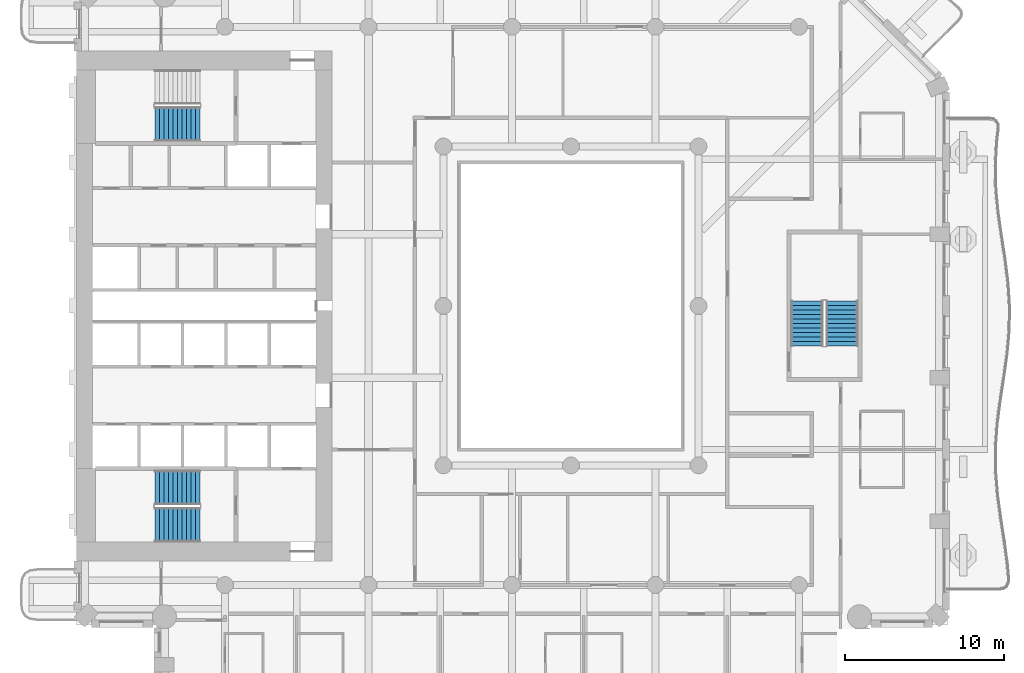
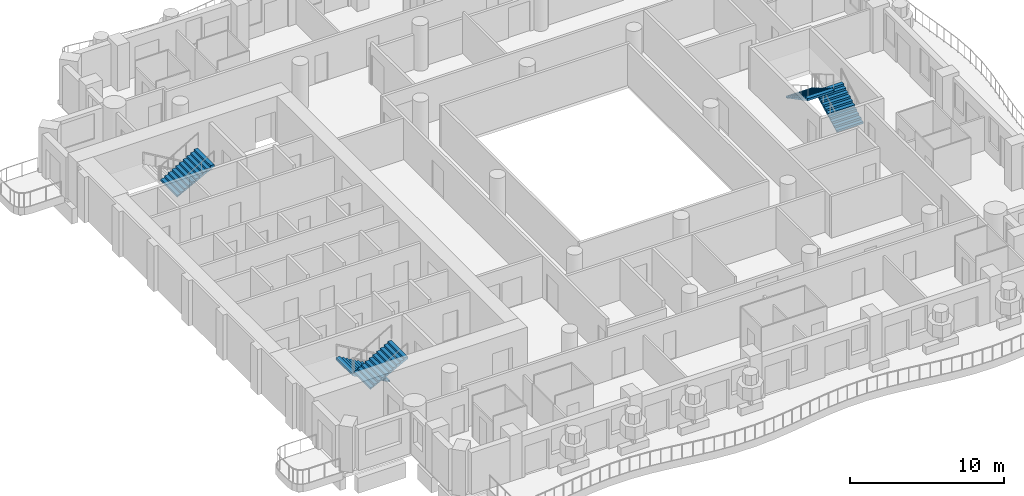
# One storey, part 11 of 20: 5 stair flights, 3 elements without a shape of their own.
"""IFC4 building model written with IfcOpenShell, lengths in metres."""

from ifc_helpers import new_model, si_unit, direction, frame, origin, place, context, subcontext, project, spatial, triangles, material, type_object, element, aggregate, save


model = new_model("IFC4")

# Units and contexts
model_context = context("Model", 3, precision=1e-05, world=origin(), true_north=direction((0.0, 1.0)))
body_context = subcontext(model_context, "Body", "Model", "MODEL_VIEW")
ifc_project = project(units=[si_unit("LENGTHUNIT", "METRE"), si_unit("AREAUNIT", "SQUARE_METRE"), si_unit("VOLUMEUNIT", "CUBIC_METRE"), si_unit("PLANEANGLEUNIT", "RADIAN"), si_unit("MASSUNIT", "GRAM", prefix="KILO")], contexts=[model_context])

# Site, building, storey
site_placement = place(None, origin())
site = spatial("IfcSite", under=ifc_project, at=site_placement, CompositionType="ELEMENT")
building_placement = place(site_placement, origin())
building = spatial("IfcBuilding", under=site, at=building_placement, Name="Cypress Arch Tower", CompositionType="ELEMENT")
storey_placement = place(building_placement, frame((0.0, 0.0, 120.300048828125)))
storey = spatial("IfcBuildingStorey", under=building, at=storey_placement, Name="L25", CompositionType="ELEMENT", Elevation=120.300048828125)

# Stair, stair flights
ifc_material_1 = material(Name="Concrete C40/50", Category="concrete")
stair_type_1 = type_object("IfcStairType", Name="Exit stair ES1636-200", PredefinedType="HALF_TURN_STAIR", material=ifc_material_1)
stair_1_placement = place(storey_placement, origin())
stair_1 = element("IfcStair", 1, at=stair_1_placement, inside=storey, type_object=stair_type_1, Name="L25 Exit stair C", PredefinedType="HALF_TURN_STAIR")
ifc_material_2 = material(Name="Concrete C40/50", Category="concrete")
stair_flight_type_1 = type_object("IfcStairFlightType", Name="Exit stair flight ES1636-200", PredefinedType="STRAIGHT", material=ifc_material_2)
stair_flight_1_placement = place(storey_placement, frame((18.0, -2.5, 0.0), z_axis=(0.0, 0.0, 1.0), x_axis=(0.0, 1.0, 0.0)))
stair_flight_1 = element("IfcStairFlight", 2, at=stair_flight_1_placement, type_object=stair_flight_type_1, Name="C flight 1", NumberOfRisers=11, NumberOfTreads=10, PredefinedType="STRAIGHT", RiserHeight=0.163636364, TreadLength=0.28, context=body_context, shape_type="Tessellation", body=[
    triangles([(0.0, -1.0, 0.0), (0.00048828125, -1.0, 0.054443359375), (0.00048828125, -1.0, 0.109130859375), (0.0, -1.0, 0.16357421875), (0.280029296875, -1.0, 0.16357421875), (0.280029296875, -1.0, 0.327392578125), (0.56005859375, -1.0, 0.327392578125), (0.56005859375, -1.0, 0.490966796875), (0.840087890625, -1.0, 0.490966796875), (0.840087890625, -1.0, 0.654541015625), (1.1201171875, -1.0, 0.654541015625), (1.1201171875, -1.0, 0.818115234375), (1.39990234375, -1.0, 0.818115234375), (1.39990234375, -1.0, 0.98193359375), (1.679931640625, -1.0, 0.98193359375), (1.679931640625, -1.0, 1.1455078125), (1.9599609375, -1.0, 1.1455078125), (1.9599609375, -1.0, 1.30908203125), (2.239990234375, -1.0, 1.30908203125), (2.239990234375, -1.0, 1.47265625), (2.52001953125, -1.0, 1.47265625), (2.52001953125, -1.0, 1.636474609375), (2.800048828125, -1.0, 1.636474609375), (2.799560546875, -1.0, 1.57861328125), (2.799560546875, -1.0, 1.5205078125), (2.800048828125, -1.0, 1.462646484375), (2.800048828125, 1.0, 1.462646484375), (2.799560546875, 1.0, 1.5205078125), (2.799560546875, 1.0, 1.57861328125), (2.800048828125, 1.0, 1.636474609375), (2.52001953125, 1.0, 1.636474609375), (2.52001953125, 1.0, 1.47265625), (2.239990234375, 1.0, 1.47265625), (2.239990234375, 1.0, 1.30908203125), (1.9599609375, 1.0, 1.30908203125), (1.9599609375, 1.0, 1.1455078125), (1.679931640625, 1.0, 1.1455078125), (1.679931640625, 1.0, 0.98193359375), (1.39990234375, 1.0, 0.98193359375), (1.39990234375, 1.0, 0.818115234375), (1.1201171875, 1.0, 0.818115234375), (1.1201171875, 1.0, 0.654541015625), (0.840087890625, 1.0, 0.654541015625), (0.840087890625, 1.0, 0.490966796875), (0.56005859375, 1.0, 0.490966796875), (0.56005859375, 1.0, 0.327392578125), (0.280029296875, 1.0, 0.327392578125), (0.280029296875, 1.0, 0.16357421875), (0.0, 1.0, 0.16357421875), (0.00048828125, 1.0, 0.109130859375), (0.00048828125, 1.0, 0.054443359375), (0.0, 1.0, 0.0), (2.799560546875, 0.0, 1.5205078125), (2.800048828125, 0.0, 1.462646484375), (2.799560546875, 0.0, 1.57861328125), (2.800048828125, 0.0, 1.636474609375), (2.52001953125, 0.0, 1.636474609375), (2.52001953125, 0.0, 1.47265625), (2.239990234375, 0.0, 1.47265625), (2.239990234375, 0.0, 1.30908203125), (1.9599609375, 0.0, 1.30908203125), (1.9599609375, 0.0, 1.1455078125), (1.679931640625, 0.0, 1.1455078125), (1.679931640625, 0.0, 0.98193359375), (1.39990234375, 0.0, 0.98193359375), (1.39990234375, 0.0, 0.818115234375), (1.1201171875, 0.0, 0.818115234375), (1.1201171875, 0.0, 0.654541015625), (0.840087890625, 0.0, 0.654541015625), (0.840087890625, 0.0, 0.490966796875), (0.56005859375, 0.0, 0.490966796875), (0.56005859375, 0.0, 0.327392578125), (0.280029296875, 0.0, 0.327392578125), (0.280029296875, 0.0, 0.16357421875), (0.0, 0.0, 0.16357421875), (0.00048828125, 0.0, 0.109130859375), (0.00048828125, 0.0, 0.054443359375), (0.0, 0.0, 0.0)], [[26, 25, 22], [25, 24, 22], [24, 23, 22], [15, 14, 13], [7, 6, 5], [13, 12, 11], [21, 20, 19], [19, 18, 17], [17, 16, 15], [11, 10, 9], [9, 8, 7], [4, 3, 5], [3, 2, 5], [2, 1, 5], [26, 22, 21], [26, 21, 19], [26, 19, 17], [26, 17, 15], [26, 15, 13], [26, 13, 11], [26, 11, 9], [26, 9, 7], [26, 7, 5], [26, 5, 1], [27, 31, 28], [28, 31, 29], [29, 31, 30], [38, 40, 39], [46, 48, 47], [40, 42, 41], [32, 34, 33], [34, 36, 35], [36, 38, 37], [42, 44, 43], [44, 46, 45], [49, 48, 50], [50, 48, 51], [51, 48, 52], [27, 32, 31], [27, 34, 32], [27, 36, 34], [27, 38, 36], [27, 40, 38], [27, 42, 40], [27, 44, 42], [27, 46, 44], [27, 48, 46], [27, 52, 48], [54, 53, 25], [54, 25, 26], [27, 28, 53], [27, 53, 54], [53, 55, 24], [53, 24, 25], [28, 29, 55], [28, 55, 53], [55, 56, 23], [55, 23, 24], [29, 30, 56], [29, 56, 55], [56, 57, 22], [56, 22, 23], [30, 31, 57], [30, 57, 56], [57, 58, 21], [57, 21, 22], [31, 32, 58], [31, 58, 57], [58, 59, 20], [58, 20, 21], [32, 33, 59], [32, 59, 58], [59, 60, 19], [59, 19, 20], [33, 34, 60], [33, 60, 59], [60, 61, 18], [60, 18, 19], [34, 35, 61], [34, 61, 60], [61, 62, 17], [61, 17, 18], [35, 36, 62], [35, 62, 61], [62, 63, 16], [62, 16, 17], [36, 37, 63], [36, 63, 62], [63, 64, 15], [63, 15, 16], [37, 38, 64], [37, 64, 63], [64, 65, 14], [64, 14, 15], [38, 39, 65], [38, 65, 64], [65, 66, 13], [65, 13, 14], [39, 40, 66], [39, 66, 65], [66, 67, 12], [66, 12, 13], [40, 41, 67], [40, 67, 66], [67, 68, 11], [67, 11, 12], [41, 42, 68], [41, 68, 67], [68, 69, 10], [68, 10, 11], [42, 43, 69], [42, 69, 68], [69, 70, 9], [69, 9, 10], [43, 44, 70], [43, 70, 69], [70, 71, 8], [70, 8, 9], [44, 45, 71], [44, 71, 70], [71, 72, 7], [71, 7, 8], [45, 46, 72], [45, 72, 71], [72, 73, 6], [72, 6, 7], [46, 47, 73], [46, 73, 72], [73, 74, 5], [73, 5, 6], [47, 48, 74], [47, 74, 73], [74, 75, 4], [74, 4, 5], [48, 49, 75], [48, 75, 74], [75, 76, 3], [75, 3, 4], [49, 50, 76], [49, 76, 75], [76, 77, 2], [76, 2, 3], [50, 51, 77], [50, 77, 76], [77, 78, 1], [77, 1, 2], [51, 52, 78], [51, 78, 77], [78, 54, 26], [78, 26, 1], [52, 27, 54], [52, 54, 78]], closed=True),
])
stair_flight_2_placement = place(storey_placement, frame((15.800048828125, 0.300048828125, 1.800048828125), z_axis=(0.0, 0.0, 1.0), x_axis=(0.0, -1.0, 0.0)))
stair_flight_2 = element("IfcStairFlight", 3, at=stair_flight_2_placement, type_object=stair_flight_type_1, Name="C flight 2", NumberOfRisers=11, NumberOfTreads=10, PredefinedType="STRAIGHT", RiserHeight=0.163636364, TreadLength=0.28, context=body_context, shape_type="Tessellation", body=[
    triangles([(0.0, -1.0, 0.0), (0.00048828125, -1.0, 0.054443359375), (0.00048828125, -1.0, 0.109130859375), (0.0, -1.0, 0.16357421875), (0.280029296875, -1.0, 0.16357421875), (0.280029296875, -1.0, 0.327392578125), (0.56005859375, -1.0, 0.327392578125), (0.56005859375, -1.0, 0.490966796875), (0.840087890625, -1.0, 0.490966796875), (0.840087890625, -1.0, 0.654541015625), (1.1201171875, -1.0, 0.654541015625), (1.1201171875, -1.0, 0.818115234375), (1.39990234375, -1.0, 0.818115234375), (1.39990234375, -1.0, 0.98193359375), (1.679931640625, -1.0, 0.98193359375), (1.679931640625, -1.0, 1.1455078125), (1.9599609375, -1.0, 1.1455078125), (1.9599609375, -1.0, 1.30908203125), (2.239990234375, -1.0, 1.30908203125), (2.239990234375, -1.0, 1.47265625), (2.52001953125, -1.0, 1.47265625), (2.52001953125, -1.0, 1.636474609375), (2.800048828125, -1.0, 1.636474609375), (2.799560546875, -1.0, 1.57861328125), (2.799560546875, -1.0, 1.5205078125), (2.800048828125, -1.0, 1.462646484375), (2.800048828125, 1.0, 1.462646484375), (2.799560546875, 1.0, 1.5205078125), (2.799560546875, 1.0, 1.57861328125), (2.800048828125, 1.0, 1.636474609375), (2.52001953125, 1.0, 1.636474609375), (2.52001953125, 1.0, 1.47265625), (2.239990234375, 1.0, 1.47265625), (2.239990234375, 1.0, 1.30908203125), (1.9599609375, 1.0, 1.30908203125), (1.9599609375, 1.0, 1.1455078125), (1.679931640625, 1.0, 1.1455078125), (1.679931640625, 1.0, 0.98193359375), (1.39990234375, 1.0, 0.98193359375), (1.39990234375, 1.0, 0.818115234375), (1.1201171875, 1.0, 0.818115234375), (1.1201171875, 1.0, 0.654541015625), (0.840087890625, 1.0, 0.654541015625), (0.840087890625, 1.0, 0.490966796875), (0.56005859375, 1.0, 0.490966796875), (0.56005859375, 1.0, 0.327392578125), (0.280029296875, 1.0, 0.327392578125), (0.280029296875, 1.0, 0.16357421875), (0.0, 1.0, 0.16357421875), (0.00048828125, 1.0, 0.109130859375), (0.00048828125, 1.0, 0.054443359375), (0.0, 1.0, 0.0), (2.799560546875, 0.0, 1.5205078125), (2.800048828125, 0.0, 1.462646484375), (2.799560546875, 0.0, 1.57861328125), (2.800048828125, 0.0, 1.636474609375), (2.52001953125, 0.0, 1.636474609375), (2.52001953125, 0.0, 1.47265625), (2.239990234375, 0.0, 1.47265625), (2.239990234375, 0.0, 1.30908203125), (1.9599609375, 0.0, 1.30908203125), (1.9599609375, 0.0, 1.1455078125), (1.679931640625, 0.0, 1.1455078125), (1.679931640625, 0.0, 0.98193359375), (1.39990234375, 0.0, 0.98193359375), (1.39990234375, 0.0, 0.818115234375), (1.1201171875, 0.0, 0.818115234375), (1.1201171875, 0.0, 0.654541015625), (0.840087890625, 0.0, 0.654541015625), (0.840087890625, 0.0, 0.490966796875), (0.56005859375, 0.0, 0.490966796875), (0.56005859375, 0.0, 0.327392578125), (0.280029296875, 0.0, 0.327392578125), (0.280029296875, 0.0, 0.16357421875), (0.0, 0.0, 0.16357421875), (0.00048828125, 0.0, 0.109130859375), (0.00048828125, 0.0, 0.054443359375), (0.0, 0.0, 0.0)], [[26, 25, 22], [25, 24, 22], [24, 23, 22], [15, 14, 13], [7, 6, 5], [13, 12, 11], [21, 20, 19], [19, 18, 17], [17, 16, 15], [11, 10, 9], [9, 8, 7], [4, 3, 5], [3, 2, 5], [2, 1, 5], [26, 22, 21], [26, 21, 19], [26, 19, 17], [26, 17, 15], [26, 15, 13], [26, 13, 11], [26, 11, 9], [26, 9, 7], [26, 7, 5], [26, 5, 1], [27, 31, 28], [28, 31, 29], [29, 31, 30], [38, 40, 39], [46, 48, 47], [40, 42, 41], [32, 34, 33], [34, 36, 35], [36, 38, 37], [42, 44, 43], [44, 46, 45], [49, 48, 50], [50, 48, 51], [51, 48, 52], [27, 32, 31], [27, 34, 32], [27, 36, 34], [27, 38, 36], [27, 40, 38], [27, 42, 40], [27, 44, 42], [27, 46, 44], [27, 48, 46], [27, 52, 48], [54, 53, 25], [54, 25, 26], [27, 28, 53], [27, 53, 54], [53, 55, 24], [53, 24, 25], [28, 29, 55], [28, 55, 53], [55, 56, 23], [55, 23, 24], [29, 30, 56], [29, 56, 55], [56, 57, 22], [56, 22, 23], [30, 31, 57], [30, 57, 56], [57, 58, 21], [57, 21, 22], [31, 32, 58], [31, 58, 57], [58, 59, 20], [58, 20, 21], [32, 33, 59], [32, 59, 58], [59, 60, 19], [59, 19, 20], [33, 34, 60], [33, 60, 59], [60, 61, 18], [60, 18, 19], [34, 35, 61], [34, 61, 60], [61, 62, 17], [61, 17, 18], [35, 36, 62], [35, 62, 61], [62, 63, 16], [62, 16, 17], [36, 37, 63], [36, 63, 62], [63, 64, 15], [63, 15, 16], [37, 38, 64], [37, 64, 63], [64, 65, 14], [64, 14, 15], [38, 39, 65], [38, 65, 64], [65, 66, 13], [65, 13, 14], [39, 40, 66], [39, 66, 65], [66, 67, 12], [66, 12, 13], [40, 41, 67], [40, 67, 66], [67, 68, 11], [67, 11, 12], [41, 42, 68], [41, 68, 67], [68, 69, 10], [68, 10, 11], [42, 43, 69], [42, 69, 68], [69, 70, 9], [69, 9, 10], [43, 44, 70], [43, 70, 69], [70, 71, 8], [70, 8, 9], [44, 45, 71], [44, 71, 70], [71, 72, 7], [71, 7, 8], [45, 46, 72], [45, 72, 71], [72, 73, 6], [72, 6, 7], [46, 47, 73], [46, 73, 72], [73, 74, 5], [73, 5, 6], [47, 48, 74], [47, 74, 73], [74, 75, 4], [74, 4, 5], [48, 49, 75], [48, 75, 74], [75, 76, 3], [75, 3, 4], [49, 50, 76], [49, 76, 75], [76, 77, 2], [76, 2, 3], [50, 51, 77], [50, 77, 76], [77, 78, 1], [77, 1, 2], [51, 52, 78], [51, 78, 77], [78, 54, 26], [78, 26, 1], [52, 27, 54], [52, 54, 78]], closed=True),
])
aggregate(stair_1, [stair_flight_1, stair_flight_2])

ifc_material_3 = material(Name="Concrete C40/50", Category="concrete")
stair_type_2 = type_object("IfcStairType", Name="Exit stair ES1636-215", PredefinedType="HALF_TURN_STAIR", material=ifc_material_3)
stair_2_placement = place(storey_placement, origin())
stair_2 = element("IfcStair", 4, at=stair_2_placement, inside=storey, type_object=stair_type_2, Name="L25 Exit stair A", PredefinedType="HALF_TURN_STAIR")
ifc_material_4 = material(Name="Concrete C40/50", Category="concrete")
stair_flight_type_2 = type_object("IfcStairFlightType", Name="Exit stair flight ES1636-215", PredefinedType="STRAIGHT", material=ifc_material_4)
stair_flight_3_placement = place(storey_placement, frame((-22.27490234375, -11.39990234375, 0.0), z_axis=(0.0, 0.0, 1.0), x_axis=(-1.0, 0.0, 0.0)))
stair_flight_3 = element("IfcStairFlight", 5, at=stair_flight_3_placement, type_object=stair_flight_type_2, Name="A flight 1", NumberOfRisers=11, NumberOfTreads=10, PredefinedType="STRAIGHT", RiserHeight=0.163636364, TreadLength=0.28, context=body_context, shape_type="Tessellation", body=[
    triangles([(0.0, -1.074951171875, 0.0), (0.000244140625, -1.074951171875, 0.03271484375), (0.00048828125, -1.074951171875, 0.0654296875), (0.00048828125, -1.074951171875, 0.09814453125), (0.000244140625, -1.074951171875, 0.130859375), (0.0, -1.074951171875, 0.16357421875), (0.280029296875, -1.074951171875, 0.16357421875), (0.280029296875, -1.074951171875, 0.327392578125), (0.56005859375, -1.074951171875, 0.327392578125), (0.56005859375, -1.074951171875, 0.490966796875), (0.840087890625, -1.074951171875, 0.490966796875), (0.840087890625, -1.074951171875, 0.654541015625), (1.1201171875, -1.074951171875, 0.654541015625), (1.1201171875, -1.074951171875, 0.818115234375), (1.39990234375, -1.074951171875, 0.818115234375), (1.39990234375, -1.074951171875, 0.98193359375), (1.679931640625, -1.074951171875, 0.98193359375), (1.679931640625, -1.074951171875, 1.1455078125), (1.9599609375, -1.074951171875, 1.1455078125), (1.9599609375, -1.074951171875, 1.30908203125), (2.239990234375, -1.074951171875, 1.30908203125), (2.239990234375, -1.074951171875, 1.47265625), (2.52001953125, -1.074951171875, 1.47265625), (2.52001953125, -1.074951171875, 1.636474609375), (2.800048828125, -1.074951171875, 1.636474609375), (2.7998046875, -1.074951171875, 1.601806640625), (2.799560546875, -1.074951171875, 1.56689453125), (2.799560546875, -1.074951171875, 1.5322265625), (2.7998046875, -1.074951171875, 1.497314453125), (2.800048828125, -1.074951171875, 1.462646484375), (2.800048828125, 1.074951171875, 1.462646484375), (2.7998046875, 1.074951171875, 1.497314453125), (2.799560546875, 1.074951171875, 1.5322265625), (2.799560546875, 1.074951171875, 1.56689453125), (2.7998046875, 1.074951171875, 1.601806640625), (2.800048828125, 1.074951171875, 1.636474609375), (2.52001953125, 1.074951171875, 1.636474609375), (2.52001953125, 1.074951171875, 1.47265625), (2.239990234375, 1.074951171875, 1.47265625), (2.239990234375, 1.074951171875, 1.30908203125), (1.9599609375, 1.074951171875, 1.30908203125), (1.9599609375, 1.074951171875, 1.1455078125), (1.679931640625, 1.074951171875, 1.1455078125), (1.679931640625, 1.074951171875, 0.98193359375), (1.39990234375, 1.074951171875, 0.98193359375), (1.39990234375, 1.074951171875, 0.818115234375), (1.1201171875, 1.074951171875, 0.818115234375), (1.1201171875, 1.074951171875, 0.654541015625), (0.840087890625, 1.074951171875, 0.654541015625), (0.840087890625, 1.074951171875, 0.490966796875), (0.56005859375, 1.074951171875, 0.490966796875), (0.56005859375, 1.074951171875, 0.327392578125), (0.280029296875, 1.074951171875, 0.327392578125), (0.280029296875, 1.074951171875, 0.16357421875), (0.0, 1.074951171875, 0.16357421875), (0.000244140625, 1.074951171875, 0.130859375), (0.00048828125, 1.074951171875, 0.09814453125), (0.00048828125, 1.074951171875, 0.0654296875), (0.000244140625, 1.074951171875, 0.03271484375), (0.0, 1.074951171875, 0.0), (2.7998046875, 0.0, 1.497314453125), (2.800048828125, 0.0, 1.462646484375), (2.799560546875, 0.0, 1.5322265625), (2.799560546875, 0.0, 1.56689453125), (2.7998046875, 0.0, 1.601806640625), (2.800048828125, 0.0, 1.636474609375), (2.52001953125, 0.0, 1.636474609375), (2.52001953125, 0.0, 1.47265625), (2.239990234375, 0.0, 1.47265625), (2.239990234375, 0.0, 1.30908203125), (1.9599609375, 0.0, 1.30908203125), (1.9599609375, 0.0, 1.1455078125), (1.679931640625, 0.0, 1.1455078125), (1.679931640625, 0.0, 0.98193359375), (1.39990234375, 0.0, 0.98193359375), (1.39990234375, 0.0, 0.818115234375), (1.1201171875, 0.0, 0.818115234375), (1.1201171875, 0.0, 0.654541015625), (0.840087890625, 0.0, 0.654541015625), (0.840087890625, 0.0, 0.490966796875), (0.56005859375, 0.0, 0.490966796875), (0.56005859375, 0.0, 0.327392578125), (0.280029296875, 0.0, 0.327392578125), (0.280029296875, 0.0, 0.16357421875), (0.0, 0.0, 0.16357421875), (0.000244140625, 0.0, 0.130859375), (0.00048828125, 0.0, 0.09814453125), (0.00048828125, 0.0, 0.0654296875), (0.000244140625, 0.0, 0.03271484375), (0.0, 0.0, 0.0)], [[30, 29, 24], [29, 28, 24], [28, 27, 24], [27, 26, 24], [26, 25, 24], [17, 16, 15], [9, 8, 7], [15, 14, 13], [23, 22, 21], [21, 20, 19], [19, 18, 17], [13, 12, 11], [11, 10, 9], [6, 5, 7], [5, 4, 7], [4, 3, 7], [3, 2, 7], [2, 1, 7], [30, 24, 23], [30, 23, 21], [30, 21, 19], [30, 19, 17], [30, 17, 15], [30, 15, 13], [30, 13, 11], [30, 11, 9], [30, 9, 7], [30, 7, 1], [31, 37, 32], [32, 37, 33], [33, 37, 34], [34, 37, 35], [35, 37, 36], [44, 46, 45], [52, 54, 53], [46, 48, 47], [38, 40, 39], [40, 42, 41], [42, 44, 43], [48, 50, 49], [50, 52, 51], [55, 54, 56], [56, 54, 57], [57, 54, 58], [58, 54, 59], [59, 54, 60], [31, 38, 37], [31, 40, 38], [31, 42, 40], [31, 44, 42], [31, 46, 44], [31, 48, 46], [31, 50, 48], [31, 52, 50], [31, 54, 52], [31, 60, 54], [62, 61, 29], [62, 29, 30], [31, 32, 61], [31, 61, 62], [61, 63, 28], [61, 28, 29], [32, 33, 63], [32, 63, 61], [63, 64, 27], [63, 27, 28], [33, 34, 64], [33, 64, 63], [64, 65, 26], [64, 26, 27], [34, 35, 65], [34, 65, 64], [65, 66, 25], [65, 25, 26], [35, 36, 66], [35, 66, 65], [66, 67, 24], [66, 24, 25], [36, 37, 67], [36, 67, 66], [67, 68, 23], [67, 23, 24], [37, 38, 68], [37, 68, 67], [68, 69, 22], [68, 22, 23], [38, 39, 69], [38, 69, 68], [69, 70, 21], [69, 21, 22], [39, 40, 70], [39, 70, 69], [70, 71, 20], [70, 20, 21], [40, 41, 71], [40, 71, 70], [71, 72, 19], [71, 19, 20], [41, 42, 72], [41, 72, 71], [72, 73, 18], [72, 18, 19], [42, 43, 73], [42, 73, 72], [73, 74, 17], [73, 17, 18], [43, 44, 74], [43, 74, 73], [74, 75, 16], [74, 16, 17], [44, 45, 75], [44, 75, 74], [75, 76, 15], [75, 15, 16], [45, 46, 76], [45, 76, 75], [76, 77, 14], [76, 14, 15], [46, 47, 77], [46, 77, 76], [77, 78, 13], [77, 13, 14], [47, 48, 78], [47, 78, 77], [78, 79, 12], [78, 12, 13], [48, 49, 79], [48, 79, 78], [79, 80, 11], [79, 11, 12], [49, 50, 80], [49, 80, 79], [80, 81, 10], [80, 10, 11], [50, 51, 81], [50, 81, 80], [81, 82, 9], [81, 9, 10], [51, 52, 82], [51, 82, 81], [82, 83, 8], [82, 8, 9], [52, 53, 83], [52, 83, 82], [83, 84, 7], [83, 7, 8], [53, 54, 84], [53, 84, 83], [84, 85, 6], [84, 6, 7], [54, 55, 85], [54, 85, 84], [85, 86, 5], [85, 5, 6], [55, 56, 86], [55, 86, 85], [86, 87, 4], [86, 4, 5], [56, 57, 87], [56, 87, 86], [87, 88, 3], [87, 3, 4], [57, 58, 88], [57, 88, 87], [88, 89, 2], [88, 2, 3], [58, 59, 89], [58, 89, 88], [89, 90, 1], [89, 1, 2], [59, 60, 90], [59, 90, 89], [90, 62, 30], [90, 30, 1], [60, 31, 62], [60, 62, 90]], closed=True),
])
stair_flight_4_placement = place(storey_placement, frame((-25.074951171875, -13.72509765625, 1.800048828125), z_axis=(0.0, 0.0, 1.0), x_axis=(1.0, 0.0, 0.0)))
stair_flight_4 = element("IfcStairFlight", 6, at=stair_flight_4_placement, type_object=stair_flight_type_2, Name="A flight 2", NumberOfRisers=11, NumberOfTreads=10, PredefinedType="STRAIGHT", RiserHeight=0.163636364, TreadLength=0.28, context=body_context, shape_type="Tessellation", body=[
    triangles([(0.0, -1.074951171875, 0.0), (0.000244140625, -1.074951171875, 0.03271484375), (0.00048828125, -1.074951171875, 0.0654296875), (0.00048828125, -1.074951171875, 0.09814453125), (0.000244140625, -1.074951171875, 0.130859375), (0.0, -1.074951171875, 0.16357421875), (0.280029296875, -1.074951171875, 0.16357421875), (0.280029296875, -1.074951171875, 0.327392578125), (0.56005859375, -1.074951171875, 0.327392578125), (0.56005859375, -1.074951171875, 0.490966796875), (0.840087890625, -1.074951171875, 0.490966796875), (0.840087890625, -1.074951171875, 0.654541015625), (1.1201171875, -1.074951171875, 0.654541015625), (1.1201171875, -1.074951171875, 0.818115234375), (1.39990234375, -1.074951171875, 0.818115234375), (1.39990234375, -1.074951171875, 0.98193359375), (1.679931640625, -1.074951171875, 0.98193359375), (1.679931640625, -1.074951171875, 1.1455078125), (1.9599609375, -1.074951171875, 1.1455078125), (1.9599609375, -1.074951171875, 1.30908203125), (2.239990234375, -1.074951171875, 1.30908203125), (2.239990234375, -1.074951171875, 1.47265625), (2.52001953125, -1.074951171875, 1.47265625), (2.52001953125, -1.074951171875, 1.636474609375), (2.800048828125, -1.074951171875, 1.636474609375), (2.7998046875, -1.074951171875, 1.601806640625), (2.799560546875, -1.074951171875, 1.56689453125), (2.799560546875, -1.074951171875, 1.5322265625), (2.7998046875, -1.074951171875, 1.497314453125), (2.800048828125, -1.074951171875, 1.462646484375), (2.800048828125, 1.074951171875, 1.462646484375), (2.7998046875, 1.074951171875, 1.497314453125), (2.799560546875, 1.074951171875, 1.5322265625), (2.799560546875, 1.074951171875, 1.56689453125), (2.7998046875, 1.074951171875, 1.601806640625), (2.800048828125, 1.074951171875, 1.636474609375), (2.52001953125, 1.074951171875, 1.636474609375), (2.52001953125, 1.074951171875, 1.47265625), (2.239990234375, 1.074951171875, 1.47265625), (2.239990234375, 1.074951171875, 1.30908203125), (1.9599609375, 1.074951171875, 1.30908203125), (1.9599609375, 1.074951171875, 1.1455078125), (1.679931640625, 1.074951171875, 1.1455078125), (1.679931640625, 1.074951171875, 0.98193359375), (1.39990234375, 1.074951171875, 0.98193359375), (1.39990234375, 1.074951171875, 0.818115234375), (1.1201171875, 1.074951171875, 0.818115234375), (1.1201171875, 1.074951171875, 0.654541015625), (0.840087890625, 1.074951171875, 0.654541015625), (0.840087890625, 1.074951171875, 0.490966796875), (0.56005859375, 1.074951171875, 0.490966796875), (0.56005859375, 1.074951171875, 0.327392578125), (0.280029296875, 1.074951171875, 0.327392578125), (0.280029296875, 1.074951171875, 0.16357421875), (0.0, 1.074951171875, 0.16357421875), (0.000244140625, 1.074951171875, 0.130859375), (0.00048828125, 1.074951171875, 0.09814453125), (0.00048828125, 1.074951171875, 0.0654296875), (0.000244140625, 1.074951171875, 0.03271484375), (0.0, 1.074951171875, 0.0), (2.7998046875, 0.0, 1.497314453125), (2.800048828125, 0.0, 1.462646484375), (2.799560546875, 0.0, 1.5322265625), (2.799560546875, 0.0, 1.56689453125), (2.7998046875, 0.0, 1.601806640625), (2.800048828125, 0.0, 1.636474609375), (2.52001953125, 0.0, 1.636474609375), (2.52001953125, 0.0, 1.47265625), (2.239990234375, 0.0, 1.47265625), (2.239990234375, 0.0, 1.30908203125), (1.9599609375, 0.0, 1.30908203125), (1.9599609375, 0.0, 1.1455078125), (1.679931640625, 0.0, 1.1455078125), (1.679931640625, 0.0, 0.98193359375), (1.39990234375, 0.0, 0.98193359375), (1.39990234375, 0.0, 0.818115234375), (1.1201171875, 0.0, 0.818115234375), (1.1201171875, 0.0, 0.654541015625), (0.840087890625, 0.0, 0.654541015625), (0.840087890625, 0.0, 0.490966796875), (0.56005859375, 0.0, 0.490966796875), (0.56005859375, 0.0, 0.327392578125), (0.280029296875, 0.0, 0.327392578125), (0.280029296875, 0.0, 0.16357421875), (0.0, 0.0, 0.16357421875), (0.000244140625, 0.0, 0.130859375), (0.00048828125, 0.0, 0.09814453125), (0.00048828125, 0.0, 0.0654296875), (0.000244140625, 0.0, 0.03271484375), (0.0, 0.0, 0.0)], [[30, 29, 24], [29, 28, 24], [28, 27, 24], [27, 26, 24], [26, 25, 24], [17, 16, 15], [9, 8, 7], [15, 14, 13], [23, 22, 21], [21, 20, 19], [19, 18, 17], [13, 12, 11], [11, 10, 9], [6, 5, 7], [5, 4, 7], [4, 3, 7], [3, 2, 7], [2, 1, 7], [30, 24, 23], [30, 23, 21], [30, 21, 19], [30, 19, 17], [30, 17, 15], [30, 15, 13], [30, 13, 11], [30, 11, 9], [30, 9, 7], [30, 7, 1], [31, 37, 32], [32, 37, 33], [33, 37, 34], [34, 37, 35], [35, 37, 36], [44, 46, 45], [52, 54, 53], [46, 48, 47], [38, 40, 39], [40, 42, 41], [42, 44, 43], [48, 50, 49], [50, 52, 51], [55, 54, 56], [56, 54, 57], [57, 54, 58], [58, 54, 59], [59, 54, 60], [31, 38, 37], [31, 40, 38], [31, 42, 40], [31, 44, 42], [31, 46, 44], [31, 48, 46], [31, 50, 48], [31, 52, 50], [31, 54, 52], [31, 60, 54], [62, 61, 29], [62, 29, 30], [31, 32, 61], [31, 61, 62], [61, 63, 28], [61, 28, 29], [32, 33, 63], [32, 63, 61], [63, 64, 27], [63, 27, 28], [33, 34, 64], [33, 64, 63], [64, 65, 26], [64, 26, 27], [34, 35, 65], [34, 65, 64], [65, 66, 25], [65, 25, 26], [35, 36, 66], [35, 66, 65], [66, 67, 24], [66, 24, 25], [36, 37, 67], [36, 67, 66], [67, 68, 23], [67, 23, 24], [37, 38, 68], [37, 68, 67], [68, 69, 22], [68, 22, 23], [38, 39, 69], [38, 69, 68], [69, 70, 21], [69, 21, 22], [39, 40, 70], [39, 70, 69], [70, 71, 20], [70, 20, 21], [40, 41, 71], [40, 71, 70], [71, 72, 19], [71, 19, 20], [41, 42, 72], [41, 72, 71], [72, 73, 18], [72, 18, 19], [42, 43, 73], [42, 73, 72], [73, 74, 17], [73, 17, 18], [43, 44, 74], [43, 74, 73], [74, 75, 16], [74, 16, 17], [44, 45, 75], [44, 75, 74], [75, 76, 15], [75, 15, 16], [45, 46, 76], [45, 76, 75], [76, 77, 14], [76, 14, 15], [46, 47, 77], [46, 77, 76], [77, 78, 13], [77, 13, 14], [47, 48, 78], [47, 78, 77], [78, 79, 12], [78, 12, 13], [48, 49, 79], [48, 79, 78], [79, 80, 11], [79, 11, 12], [49, 50, 80], [49, 80, 79], [80, 81, 10], [80, 10, 11], [50, 51, 81], [50, 81, 80], [81, 82, 9], [81, 9, 10], [51, 52, 82], [51, 82, 81], [82, 83, 8], [82, 8, 9], [52, 53, 83], [52, 83, 82], [83, 84, 7], [83, 7, 8], [53, 54, 84], [53, 84, 83], [84, 85, 6], [84, 6, 7], [54, 55, 85], [54, 85, 84], [85, 86, 5], [85, 5, 6], [55, 56, 86], [55, 86, 85], [86, 87, 4], [86, 4, 5], [56, 57, 87], [56, 87, 86], [87, 88, 3], [87, 3, 4], [57, 58, 88], [57, 88, 87], [88, 89, 2], [88, 2, 3], [58, 59, 89], [58, 89, 88], [89, 90, 1], [89, 1, 2], [59, 60, 90], [59, 90, 89], [90, 62, 30], [90, 30, 1], [60, 31, 62], [60, 62, 90]], closed=True),
])
aggregate(stair_2, [stair_flight_3, stair_flight_4])

# Stair, stair flight
stair_3_placement = place(storey_placement, origin())
stair_3 = element("IfcStair", 7, at=stair_3_placement, inside=storey, type_object=stair_type_2, Name="L25 Exit stair B", PredefinedType="HALF_TURN_STAIR")
stair_flight_5_placement = place(storey_placement, frame((-25.074951171875, 11.39990234375, 1.800048828125), z_axis=(0.0, 0.0, 1.0), x_axis=(1.0, 0.0, 0.0)))
stair_flight_5 = element("IfcStairFlight", 8, at=stair_flight_5_placement, type_object=stair_flight_type_2, Name="B flight 2", NumberOfRisers=11, NumberOfTreads=10, PredefinedType="STRAIGHT", RiserHeight=0.163636364, TreadLength=0.28, context=body_context, shape_type="Tessellation", body=[
    triangles([(0.0, -1.074951171875, 0.0), (0.000244140625, -1.074951171875, 0.03271484375), (0.00048828125, -1.074951171875, 0.0654296875), (0.00048828125, -1.074951171875, 0.09814453125), (0.000244140625, -1.074951171875, 0.130859375), (0.0, -1.074951171875, 0.16357421875), (0.280029296875, -1.074951171875, 0.16357421875), (0.280029296875, -1.074951171875, 0.327392578125), (0.56005859375, -1.074951171875, 0.327392578125), (0.56005859375, -1.074951171875, 0.490966796875), (0.840087890625, -1.074951171875, 0.490966796875), (0.840087890625, -1.074951171875, 0.654541015625), (1.1201171875, -1.074951171875, 0.654541015625), (1.1201171875, -1.074951171875, 0.818115234375), (1.39990234375, -1.074951171875, 0.818115234375), (1.39990234375, -1.074951171875, 0.98193359375), (1.679931640625, -1.074951171875, 0.98193359375), (1.679931640625, -1.074951171875, 1.1455078125), (1.9599609375, -1.074951171875, 1.1455078125), (1.9599609375, -1.074951171875, 1.30908203125), (2.239990234375, -1.074951171875, 1.30908203125), (2.239990234375, -1.074951171875, 1.47265625), (2.52001953125, -1.074951171875, 1.47265625), (2.52001953125, -1.074951171875, 1.636474609375), (2.800048828125, -1.074951171875, 1.636474609375), (2.7998046875, -1.074951171875, 1.601806640625), (2.799560546875, -1.074951171875, 1.56689453125), (2.799560546875, -1.074951171875, 1.5322265625), (2.7998046875, -1.074951171875, 1.497314453125), (2.800048828125, -1.074951171875, 1.462646484375), (2.800048828125, 1.074951171875, 1.462646484375), (2.7998046875, 1.074951171875, 1.497314453125), (2.799560546875, 1.074951171875, 1.5322265625), (2.799560546875, 1.074951171875, 1.56689453125), (2.7998046875, 1.074951171875, 1.601806640625), (2.800048828125, 1.074951171875, 1.636474609375), (2.52001953125, 1.074951171875, 1.636474609375), (2.52001953125, 1.074951171875, 1.47265625), (2.239990234375, 1.074951171875, 1.47265625), (2.239990234375, 1.074951171875, 1.30908203125), (1.9599609375, 1.074951171875, 1.30908203125), (1.9599609375, 1.074951171875, 1.1455078125), (1.679931640625, 1.074951171875, 1.1455078125), (1.679931640625, 1.074951171875, 0.98193359375), (1.39990234375, 1.074951171875, 0.98193359375), (1.39990234375, 1.074951171875, 0.818115234375), (1.1201171875, 1.074951171875, 0.818115234375), (1.1201171875, 1.074951171875, 0.654541015625), (0.840087890625, 1.074951171875, 0.654541015625), (0.840087890625, 1.074951171875, 0.490966796875), (0.56005859375, 1.074951171875, 0.490966796875), (0.56005859375, 1.074951171875, 0.327392578125), (0.280029296875, 1.074951171875, 0.327392578125), (0.280029296875, 1.074951171875, 0.16357421875), (0.0, 1.074951171875, 0.16357421875), (0.000244140625, 1.074951171875, 0.130859375), (0.00048828125, 1.074951171875, 0.09814453125), (0.00048828125, 1.074951171875, 0.0654296875), (0.000244140625, 1.074951171875, 0.03271484375), (0.0, 1.074951171875, 0.0), (2.7998046875, 0.0, 1.497314453125), (2.800048828125, 0.0, 1.462646484375), (2.799560546875, 0.0, 1.5322265625), (2.799560546875, 0.0, 1.56689453125), (2.7998046875, 0.0, 1.601806640625), (2.800048828125, 0.0, 1.636474609375), (2.52001953125, 0.0, 1.636474609375), (2.52001953125, 0.0, 1.47265625), (2.239990234375, 0.0, 1.47265625), (2.239990234375, 0.0, 1.30908203125), (1.9599609375, 0.0, 1.30908203125), (1.9599609375, 0.0, 1.1455078125), (1.679931640625, 0.0, 1.1455078125), (1.679931640625, 0.0, 0.98193359375), (1.39990234375, 0.0, 0.98193359375), (1.39990234375, 0.0, 0.818115234375), (1.1201171875, 0.0, 0.818115234375), (1.1201171875, 0.0, 0.654541015625), (0.840087890625, 0.0, 0.654541015625), (0.840087890625, 0.0, 0.490966796875), (0.56005859375, 0.0, 0.490966796875), (0.56005859375, 0.0, 0.327392578125), (0.280029296875, 0.0, 0.327392578125), (0.280029296875, 0.0, 0.16357421875), (0.0, 0.0, 0.16357421875), (0.000244140625, 0.0, 0.130859375), (0.00048828125, 0.0, 0.09814453125), (0.00048828125, 0.0, 0.0654296875), (0.000244140625, 0.0, 0.03271484375), (0.0, 0.0, 0.0)], [[30, 29, 24], [29, 28, 24], [28, 27, 24], [27, 26, 24], [26, 25, 24], [17, 16, 15], [9, 8, 7], [15, 14, 13], [23, 22, 21], [21, 20, 19], [19, 18, 17], [13, 12, 11], [11, 10, 9], [6, 5, 7], [5, 4, 7], [4, 3, 7], [3, 2, 7], [2, 1, 7], [30, 24, 23], [30, 23, 21], [30, 21, 19], [30, 19, 17], [30, 17, 15], [30, 15, 13], [30, 13, 11], [30, 11, 9], [30, 9, 7], [30, 7, 1], [31, 37, 32], [32, 37, 33], [33, 37, 34], [34, 37, 35], [35, 37, 36], [44, 46, 45], [52, 54, 53], [46, 48, 47], [38, 40, 39], [40, 42, 41], [42, 44, 43], [48, 50, 49], [50, 52, 51], [55, 54, 56], [56, 54, 57], [57, 54, 58], [58, 54, 59], [59, 54, 60], [31, 38, 37], [31, 40, 38], [31, 42, 40], [31, 44, 42], [31, 46, 44], [31, 48, 46], [31, 50, 48], [31, 52, 50], [31, 54, 52], [31, 60, 54], [62, 61, 29], [62, 29, 30], [31, 32, 61], [31, 61, 62], [61, 63, 28], [61, 28, 29], [32, 33, 63], [32, 63, 61], [63, 64, 27], [63, 27, 28], [33, 34, 64], [33, 64, 63], [64, 65, 26], [64, 26, 27], [34, 35, 65], [34, 65, 64], [65, 66, 25], [65, 25, 26], [35, 36, 66], [35, 66, 65], [66, 67, 24], [66, 24, 25], [36, 37, 67], [36, 67, 66], [67, 68, 23], [67, 23, 24], [37, 38, 68], [37, 68, 67], [68, 69, 22], [68, 22, 23], [38, 39, 69], [38, 69, 68], [69, 70, 21], [69, 21, 22], [39, 40, 70], [39, 70, 69], [70, 71, 20], [70, 20, 21], [40, 41, 71], [40, 71, 70], [71, 72, 19], [71, 19, 20], [41, 42, 72], [41, 72, 71], [72, 73, 18], [72, 18, 19], [42, 43, 73], [42, 73, 72], [73, 74, 17], [73, 17, 18], [43, 44, 74], [43, 74, 73], [74, 75, 16], [74, 16, 17], [44, 45, 75], [44, 75, 74], [75, 76, 15], [75, 15, 16], [45, 46, 76], [45, 76, 75], [76, 77, 14], [76, 14, 15], [46, 47, 77], [46, 77, 76], [77, 78, 13], [77, 13, 14], [47, 48, 78], [47, 78, 77], [78, 79, 12], [78, 12, 13], [48, 49, 79], [48, 79, 78], [79, 80, 11], [79, 11, 12], [49, 50, 80], [49, 80, 79], [80, 81, 10], [80, 10, 11], [50, 51, 81], [50, 81, 80], [81, 82, 9], [81, 9, 10], [51, 52, 82], [51, 82, 81], [82, 83, 8], [82, 8, 9], [52, 53, 83], [52, 83, 82], [83, 84, 7], [83, 7, 8], [53, 54, 84], [53, 84, 83], [84, 85, 6], [84, 6, 7], [54, 55, 85], [54, 85, 84], [85, 86, 5], [85, 5, 6], [55, 56, 86], [55, 86, 85], [86, 87, 4], [86, 4, 5], [56, 57, 87], [56, 87, 86], [87, 88, 3], [87, 3, 4], [57, 58, 88], [57, 88, 87], [88, 89, 2], [88, 2, 3], [58, 59, 89], [58, 89, 88], [89, 90, 1], [89, 1, 2], [59, 60, 90], [59, 90, 89], [90, 62, 30], [90, 30, 1], [60, 31, 62], [60, 62, 90]], closed=True),
])
aggregate(stair_3, [stair_flight_5])

save(model, "model.ifc")
